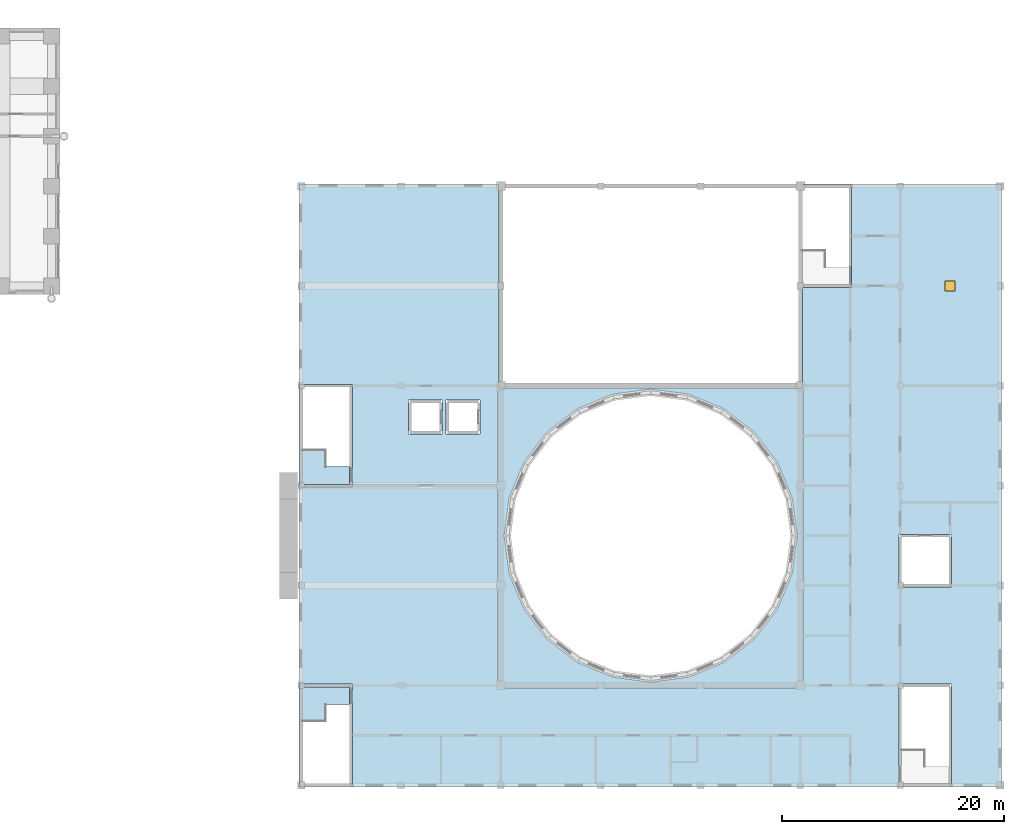
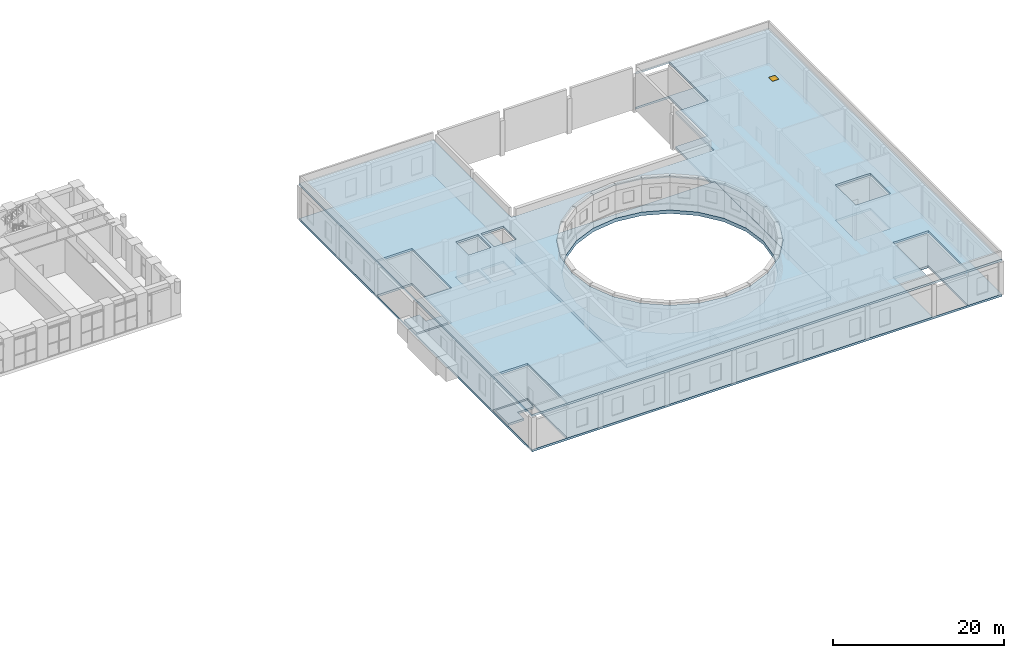
# One storey, part 15 of 35: 5 slabs, 1 window, 1 opening.
"""IFC4 building model written with IfcOpenShell, lengths in metres."""

from ifc_helpers import new_model, si_unit, direction, frame, origin, origin_2d, place, context, subcontext, project, spatial, polyline, rectangle, outline, extrude, material, layer, layer_set, type_object, element, fill, save


model = new_model("IFC4")

# Units and contexts
model_context = context("Model", 3, precision=1e-05, world=origin(), true_north=direction((0.0, 1.0)))
body_context = subcontext(model_context, "Body", "Model", "MODEL_VIEW")
ifc_project = project(units=[si_unit("LENGTHUNIT", "METRE"), si_unit("AREAUNIT", "SQUARE_METRE"), si_unit("VOLUMEUNIT", "CUBIC_METRE"), si_unit("PLANEANGLEUNIT", "RADIAN"), si_unit("MASSUNIT", "GRAM", prefix="KILO")], contexts=[model_context])

# Site, building, storey
site_placement = place(None, origin())
site = spatial("IfcSite", under=ifc_project, at=site_placement, CompositionType="ELEMENT")
building_placement = place(site_placement, origin())
building = spatial("IfcBuilding", under=site, at=building_placement, Name="Firuza Court", CompositionType="ELEMENT")
storey_placement = place(building_placement, frame((0.0, 0.0, 24.0)))
storey = spatial("IfcBuildingStorey", under=building, at=storey_placement, Name="L04", CompositionType="ELEMENT", Elevation=24.0)

# Slabs
ifc_material_1 = material(Name="Concrete C40/50", Category="concrete")
ifc_layer_1 = layer(ifc_material_1, 0.300048828125)
ifc_layer_set_1 = layer_set([ifc_layer_1], Name="Concrete C40/50")
slab_type_1 = type_object("IfcSlabType", Name="HALL FLAT SLAB 300", PredefinedType="FLOOR", material=ifc_layer_set_1)
slab_1_placement = place(storey_placement, frame((0.0, 0.0, -0.300048828125)))
element("IfcSlab", 1, at=slab_1_placement, inside=storey, type_object=slab_type_1, Name="Floor slab L04.2", PredefinedType="FLOOR", context=body_context, shape_type="SweptSolid", body=[
    extrude(outline(polyline([(90.125, -3.199951171875), (90.125, -0.125), (94.375, -0.125), (94.375, -1.7099609375), (92.199951171875, -1.7099609375), (92.199951171875, -3.199951171875), (90.125, -3.199951171875)])), origin(), (0.0, 0.0, 1.0), 0.300048828125),
])
slab_2_placement = place(storey_placement, frame((0.0, 0.0, -0.300048828125)))
element("IfcSlab", 2, at=slab_2_placement, inside=storey, type_object=slab_type_1, Name="Floor slab L04.3", PredefinedType="FLOOR", context=body_context, shape_type="SweptSolid", body=[
    extrude(outline(polyline([(107.824951171875, 45.175048828125), (107.824951171875, 27.25), (107.75, 27.25), (107.75, -0.25), (135.25, -0.25), (135.25, 27.25), (135.175048828125, 27.25), (135.175048828125, 35.875), (139.625, 35.875), (139.625, 45.125), (135.175048828125, 45.125), (135.175048828125, 45.175048828125), (153.175048828125, 45.175048828125), (153.175048828125, -9.175048828125), (89.824951171875, -9.175048828125), (89.824951171875, 45.175048828125), (107.824951171875, 45.175048828125)]), holes=[polyline([(94.625, -9.125), (94.625, 0.125), (89.875, 0.125), (89.875, -9.125), (94.625, -9.125)]), polyline([(148.625, -9.125), (148.625, 0.125), (143.875, 0.125), (143.875, -9.125), (148.625, -9.125)]), polyline([(148.625, 8.875), (148.625, 13.625), (143.875, 13.625), (143.875, 8.875), (148.625, 8.875)]), polyline([(94.625, 17.875), (94.625, 27.125), (89.875, 27.125), (89.875, 17.875), (94.625, 17.875)]), polyline([(102.72509765625, 22.675048828125), (102.72509765625, 25.72509765625), (99.675048828125, 25.72509765625), (99.675048828125, 22.675048828125), (102.72509765625, 22.675048828125)]), polyline([(106.125, 22.675048828125), (106.125, 25.72509765625), (103.074951171875, 25.72509765625), (103.074951171875, 22.675048828125), (106.125, 22.675048828125)])]), origin(), (0.0, 0.0, 1.0), 0.300048828125),
])
slab_3_placement = place(storey_placement, frame((0.0, 0.0, -0.300048828125)))
element("IfcSlab", 3, at=slab_3_placement, inside=storey, type_object=slab_type_1, Name="Floor slab L04.4", PredefinedType="FLOOR", context=body_context, shape_type="SweptSolid", body=[
    extrude(outline(polyline([(90.125, 18.125), (90.125, 21.199951171875), (92.199951171875, 21.199951171875), (92.199951171875, 19.7099609375), (94.375, 19.7099609375), (94.375, 18.125), (90.125, 18.125)])), origin(), (0.0, 0.0, 1.0), 0.300048828125),
])

# Slab, opening, window
ifc_layer_2 = layer(ifc_material_1, 0.300048828125)
ifc_layer_set_2 = layer_set([ifc_layer_2], Name="Concrete C40/50")
slab_type_2 = type_object("IfcSlabType", Name="HALL ROOF SLAB 300", PredefinedType="ROOF", material=ifc_layer_set_2)
slab_4_placement = place(storey_placement, frame((0.0, 0.0, 4.699951171875)))
slab_4 = element("IfcSlab", 4, at=slab_4_placement, inside=storey, type_object=slab_type_2, Name="Roof slab L04", PredefinedType="ROOF", context=body_context, shape_type="SweptSolid", body=[
    extrude(outline(polyline([(89.824951171875, -9.175048828125), (89.824951171875, 45.175048828125), (107.824951171875, 45.175048828125), (107.824951171875, 26.824951171875), (135.175048828125, 26.824951171875), (135.175048828125, 35.875), (139.625, 35.875), (139.625, 45.125), (135.175048828125, 45.125), (135.175048828125, 45.175048828125), (153.175048828125, 45.175048828125), (153.175048828125, -9.175048828125), (89.824951171875, -9.175048828125)]), holes=[polyline([(89.875, 0.125), (89.875, -9.125), (94.625, -9.125), (94.625, 0.125), (89.875, 0.125)]), polyline([(143.875, 0.125), (143.875, -9.125), (148.625, -9.125), (148.625, 0.125), (143.875, 0.125)]), polyline([(143.875, 13.625), (143.875, 8.875), (148.625, 8.875), (148.625, 13.625), (143.875, 13.625)]), polyline([(132.94287109375, 6.8935546875), (134.2626953125, 10.080322265625), (134.713134765625, 13.5), (134.2626953125, 16.919677734375), (132.94287109375, 20.1064453125), (130.843017578125, 22.843017578125), (128.1064453125, 24.94287109375), (124.919677734375, 26.2626953125), (121.5, 26.713134765625), (118.080322265625, 26.2626953125), (114.8935546875, 24.94287109375), (112.156982421875, 22.843017578125), (110.05712890625, 20.1064453125), (108.7373046875, 16.919677734375), (108.286865234375, 13.5), (108.7373046875, 10.080322265625), (110.05712890625, 6.8935546875), (112.156982421875, 4.156982421875), (114.8935546875, 2.05712890625), (118.080322265625, 0.7373046875), (121.5, 0.286865234375), (124.919677734375, 0.7373046875), (128.1064453125, 2.05712890625), (130.843017578125, 4.156982421875), (132.94287109375, 6.8935546875)]), polyline([(89.875, 27.125), (89.875, 17.875), (94.625, 17.875), (94.625, 27.125), (89.875, 27.125)]), polyline([(99.675048828125, 25.72509765625), (99.675048828125, 22.675048828125), (102.72509765625, 22.675048828125), (102.72509765625, 25.72509765625), (99.675048828125, 25.72509765625)]), polyline([(103.074951171875, 25.72509765625), (103.074951171875, 22.675048828125), (106.125, 22.675048828125), (106.125, 25.72509765625), (103.074951171875, 25.72509765625)])]), origin(), (0.0, 0.0, 1.0), 0.300048828125),
])
opening_placement = place(slab_4_placement, frame((148.5, 36.0, 0.0)))
opening = element("IfcOpeningElement", 5, at=opening_placement, cuts=slab_4, Name="Opening HH1", PredefinedType="OPENING", context=body_context, shape_type="SweptSolid", body=[
    extrude(rectangle(XDim=0.89990234375, YDim=0.89990234375, at=origin_2d()), origin(), (0.0, 0.0, 1.0), 0.300048828125),
])
ifc_material_2 = material(Name="Aluminium", Category="aluminium")
window_type = type_object("IfcWindowType", Name="HALL ROOF HATCH 900X900", PartitioningType="SINGLE_PANEL", PredefinedType="SKYLIGHT", material=ifc_material_2)
window_placement = place(opening_placement, frame((0.0, 0.0, 0.25)))
window = element("IfcWindow", 6, at=window_placement, inside=storey, type_object=window_type, Name="Roof access hatch", OverallHeight=0.89990234375, OverallWidth=0.89990234375, PartitioningType="SINGLE_PANEL", PredefinedType="SKYLIGHT", context=body_context, shape_type="SweptSolid", body=[
    extrude(rectangle(XDim=0.89990234375, YDim=0.89990234375, at=origin_2d()), origin(), (0.0, 0.0, 1.0), 0.050048828125),
])
fill(opening, window)

# Slab
ifc_layer_3 = layer(ifc_material_1, 0.5)
ifc_layer_set_3 = layer_set([ifc_layer_3], Name="Concrete C40/50")
slab_type_3 = type_object("IfcSlabType", Name="HALL TRANSFER SLAB 500", PredefinedType="FLOOR", material=ifc_layer_set_3)
slab_5_placement = place(storey_placement, origin())
element("IfcSlab", 7, at=slab_5_placement, inside=storey, type_object=slab_type_3, Name="Transfer slab L04", PredefinedType="FLOOR", context=body_context, shape_type="SweptSolid", body=[
    extrude(outline(polyline([(107.75, -0.25), (107.75, 26.824951171875), (135.25, 26.824951171875), (135.25, -0.25), (107.75, -0.25)]), holes=[polyline([(133.67822265625, 16.76318359375), (132.418701171875, 19.803955078125), (130.4150390625, 22.4150390625), (127.803955078125, 24.418701171875), (124.76318359375, 25.67822265625), (121.5, 26.10791015625), (118.23681640625, 25.67822265625), (115.196044921875, 24.418701171875), (112.5849609375, 22.4150390625), (110.581298828125, 19.803955078125), (109.32177734375, 16.76318359375), (108.89208984375, 13.5), (109.32177734375, 10.23681640625), (110.581298828125, 7.196044921875), (112.5849609375, 4.5849609375), (115.196044921875, 2.581298828125), (118.23681640625, 1.32177734375), (121.5, 0.89208984375), (124.76318359375, 1.32177734375), (127.803955078125, 2.581298828125), (130.4150390625, 4.5849609375), (132.418701171875, 7.196044921875), (133.67822265625, 10.23681640625), (134.10791015625, 13.5), (133.67822265625, 16.76318359375)])]), origin(), (0.0, 0.0, 1.0), 0.5),
])

save(model, "model.ifc")
